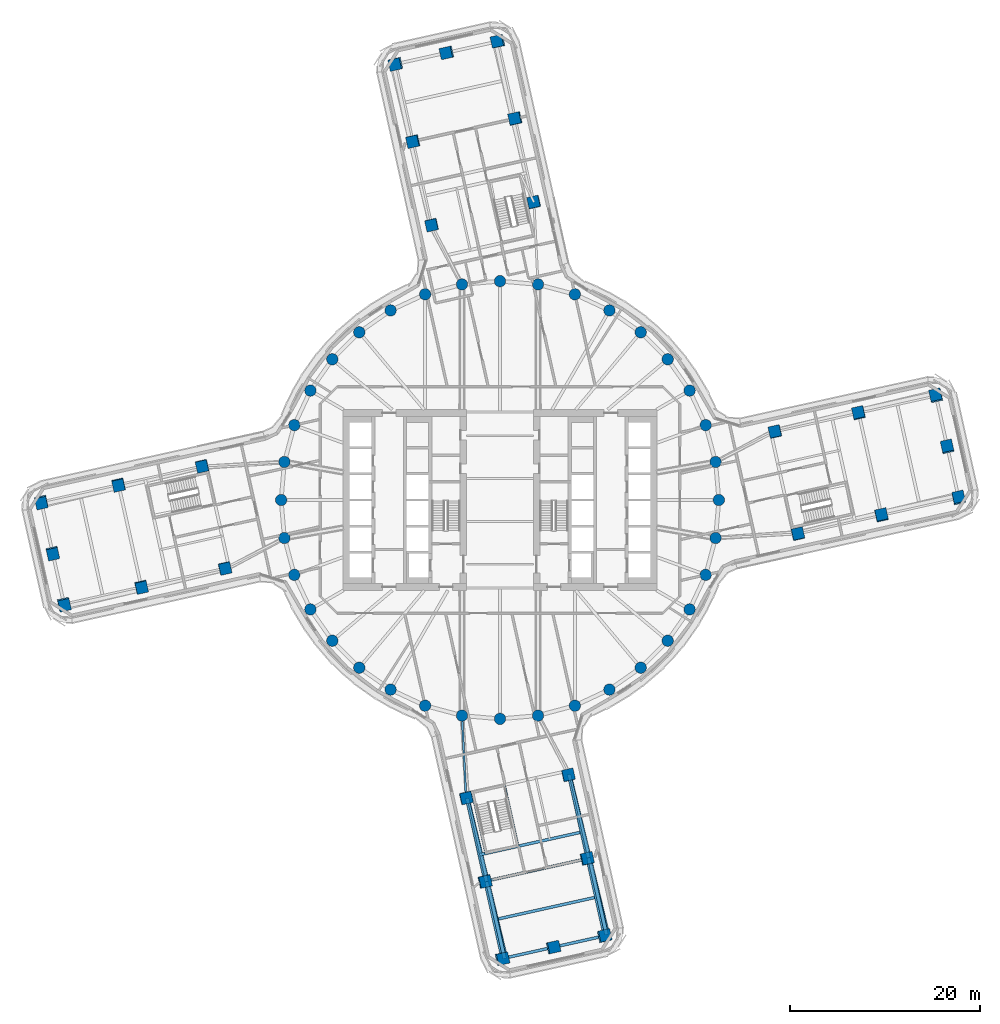
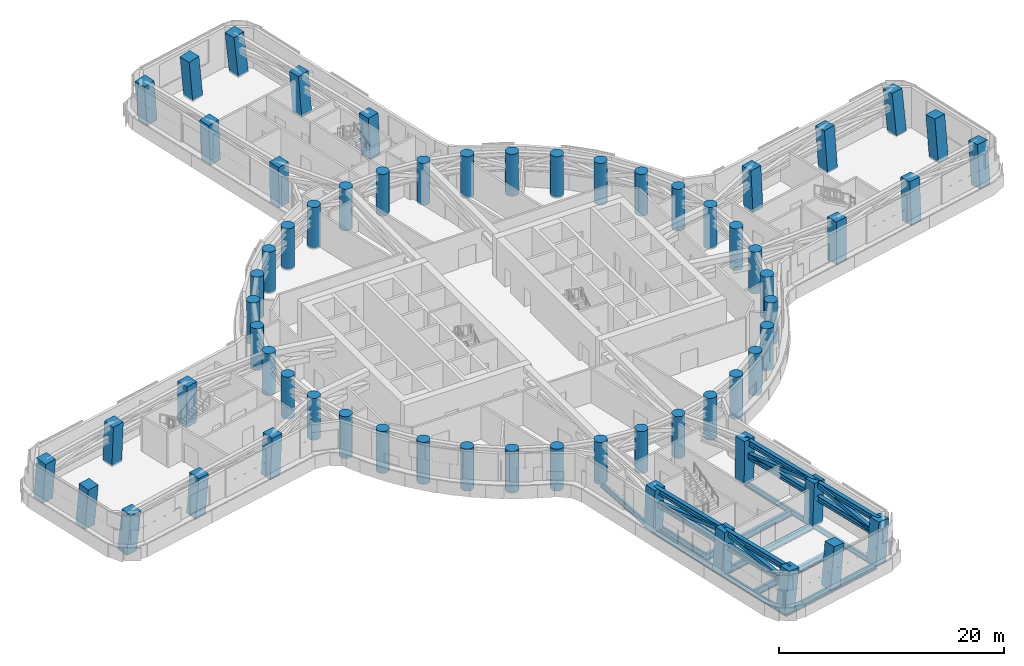
# One storey, part 1 of 22: 64 columns, 12 beams, 12 members.
"""IFC4 building model written with IfcOpenShell, lengths in metres."""

from ifc_helpers import new_model, si_unit, direction, frame, origin, origin_2d, place, context, subcontext, project, spatial, rectangle, hollow_rectangle, circle, i_section, extrude, material, material_profile, profile_set, type_object, element, save


model = new_model("IFC4")

# Units and contexts
model_context = context("Model", 3, precision=1e-05, world=origin(), true_north=direction((0.0, 1.0)))
body_context = subcontext(model_context, "Body", "Model", "MODEL_VIEW")
ifc_project = project(units=[si_unit("LENGTHUNIT", "METRE"), si_unit("AREAUNIT", "SQUARE_METRE"), si_unit("VOLUMEUNIT", "CUBIC_METRE"), si_unit("PLANEANGLEUNIT", "RADIAN"), si_unit("MASSUNIT", "GRAM", prefix="KILO")], contexts=[model_context])

# Site, building, storey
site_placement = place(None, origin())
site = spatial("IfcSite", under=ifc_project, at=site_placement, CompositionType="ELEMENT")
building_placement = place(site_placement, origin())
building = spatial("IfcBuilding", under=site, at=building_placement, Name="Tamarind Cross Interchange Tower", CompositionType="ELEMENT")
storey_placement = place(building_placement, frame((0.0, 0.0, 79.0)))
storey = spatial("IfcBuildingStorey", under=building, at=storey_placement, Name="L18", CompositionType="ELEMENT", Elevation=79.0)

# Columns
ifc_material_1 = material(Name="Concrete C70", Category="concrete")
ifc_material_profile_1 = material_profile(ifc_material_1, rectangle(XDim=1.199951171875, YDim=1.199951171875, at=origin_2d()), Name="RC 1200x1200")
ifc_profile_set_1 = profile_set([ifc_material_profile_1], Name="Concrete C70")
column_type_1 = type_object("IfcColumnType", Name="Column RC 1200x1200 Concrete C70", PredefinedType="COLUMN", material=ifc_profile_set_1)
for number, where, z_axis, x_axis, name in (
    (1, (37.693359375, 9.124755859375, -0.173095703125), (-0.037120340526, 0.06251280535, 0.997353613061), (0.215890896147, -0.973970607022, 0.069082397308), "Column L18-036"),
    (2, (40.08154296875, -1.61279296875, -0.172607421875), (0.00575634671, 0.072465411382, 0.997354314487), (-0.975960630964, -0.216894519976, 0.021391914662), "Column L18-037"),
):
    element("IfcColumn", number, at=place(storey_placement, frame(where, z_axis=z_axis, x_axis=x_axis)), inside=storey, type_object=column_type_1, Name=name, PredefinedType="COLUMN", context=body_context, shape_type="SweptSolid", body=[
        extrude(rectangle(XDim=1.199951171875, YDim=1.199951171875, at=origin_2d()), origin(), (0.0, 0.0, 1.0), 4.5380859375),
    ])
column_1_placement = place(storey_placement, frame((28.907958984375, 7.170654296875, -0.17529296875), z_axis=(-0.029020888191, 0.027459467491, 0.999201564097), x_axis=(0.21648201457, -0.975725272019, 0.033101826414)))
element("IfcColumn", 3, at=column_1_placement, inside=storey, type_object=column_type_1, Name="Column L18-038", PredefinedType="COLUMN", context=body_context, shape_type="SweptSolid", body=[
    extrude(rectangle(XDim=1.199951171875, YDim=1.199951171875, at=origin_2d()), origin(), (0.0, 0.0, 1.0), 4.534423828125),
])
column_2_placement = place(storey_placement, frame((31.296142578125, -3.56689453125, -0.17529296875), z_axis=(0.013944362332, 0.037418269579, 0.999202395844), x_axis=(-0.975880776515, -0.21721764254, 0.021753293964)))
element("IfcColumn", 4, at=column_2_placement, inside=storey, type_object=column_type_1, Name="Column L18-039", PredefinedType="COLUMN", context=body_context, shape_type="SweptSolid", body=[
    extrude(rectangle(XDim=1.199951171875, YDim=1.199951171875, at=origin_2d()), origin(), (0.0, 0.0, 1.0), 4.53466796875),
])
column_3_placement = place(storey_placement, frame((48.201171875, 0.193359375, -0.170654296875), z_axis=(-0.002953049653, 0.104376882277, 0.994533431285), x_axis=(-0.976156376226, -0.216164657489, 0.01978812792)))
element("IfcColumn", 5, at=column_3_placement, inside=storey, type_object=column_type_1, Name="Column L18-040", PredefinedType="COLUMN", context=body_context, shape_type="SweptSolid", body=[
    extrude(rectangle(XDim=1.199951171875, YDim=1.199951171875, at=origin_2d()), origin(), (0.0, 0.0, 1.0), 4.547119140625),
])
column_4_placement = place(storey_placement, frame((47.007080078125, 5.56201171875, -0.172119140625), z_axis=(-0.024370803708, 0.099415701469, 0.994747496719), x_axis=(0.21604862715, -0.971004814369, 0.102335923206)))
element("IfcColumn", 6, at=column_4_placement, inside=storey, type_object=column_type_1, Name="Column L18-041", PredefinedType="COLUMN", context=body_context, shape_type="SweptSolid", body=[
    extrude(rectangle(XDim=1.199951171875, YDim=1.199951171875, at=origin_2d()), origin(), (0.0, 0.0, 1.0), 4.548095703125),
])
column_5_placement = place(storey_placement, frame((45.81298828125, 10.930908203125, -0.170654296875), z_axis=(-0.045747815066, 0.094448834157, 0.994478031504), x_axis=(0.214689958309, -0.971328178646, 0.102126349048)))
element("IfcColumn", 7, at=column_5_placement, inside=storey, type_object=column_type_1, Name="Column L18-042", PredefinedType="COLUMN", context=body_context, shape_type="SweptSolid", body=[
    extrude(rectangle(XDim=1.199951171875, YDim=1.199951171875, at=origin_2d()), origin(), (0.0, 0.0, 1.0), 4.546875),
])
for number, where, z_axis, x_axis, name in (
    (8, (-9.124755859375, 37.693359375, -0.173095703125), (-0.06251280535, -0.037120340526, 0.997353613061), (0.973970607022, 0.215890896147, 0.069082397308), "Column L18-043"),
    (9, (1.61279296875, 40.08154296875, -0.172607421875), (-0.072465411382, 0.00575634671, 0.997354314487), (0.216894519976, -0.975960630964, 0.021391914662), "Column L18-044"),
):
    element("IfcColumn", number, at=place(storey_placement, frame(where, z_axis=z_axis, x_axis=x_axis)), inside=storey, type_object=column_type_1, Name=name, PredefinedType="COLUMN", context=body_context, shape_type="SweptSolid", body=[
        extrude(rectangle(XDim=1.199951171875, YDim=1.199951171875, at=origin_2d()), origin(), (0.0, 0.0, 1.0), 4.5380859375),
    ])
column_6_placement = place(storey_placement, frame((-7.170654296875, 28.907958984375, -0.17529296875), z_axis=(-0.027459467491, -0.029020888191, 0.999201564097), x_axis=(0.975725272019, 0.21648201457, 0.033101826414)))
element("IfcColumn", 10, at=column_6_placement, inside=storey, type_object=column_type_1, Name="Column L18-045", PredefinedType="COLUMN", context=body_context, shape_type="SweptSolid", body=[
    extrude(rectangle(XDim=1.199951171875, YDim=1.199951171875, at=origin_2d()), origin(), (0.0, 0.0, 1.0), 4.534423828125),
])
column_7_placement = place(storey_placement, frame((3.56689453125, 31.296142578125, -0.17529296875), z_axis=(-0.037418269579, 0.013944362332, 0.999202395844), x_axis=(0.21721764254, -0.975880776515, 0.021753293964)))
element("IfcColumn", 11, at=column_7_placement, inside=storey, type_object=column_type_1, Name="Column L18-046", PredefinedType="COLUMN", context=body_context, shape_type="SweptSolid", body=[
    extrude(rectangle(XDim=1.199951171875, YDim=1.199951171875, at=origin_2d()), origin(), (0.0, 0.0, 1.0), 4.53466796875),
])
column_8_placement = place(storey_placement, frame((-0.193359375, 48.201171875, -0.170654296875), z_axis=(-0.104376882277, -0.002953049653, 0.994533431285), x_axis=(0.216164657489, -0.976156376226, 0.01978812792)))
element("IfcColumn", 12, at=column_8_placement, inside=storey, type_object=column_type_1, Name="Column L18-047", PredefinedType="COLUMN", context=body_context, shape_type="SweptSolid", body=[
    extrude(rectangle(XDim=1.199951171875, YDim=1.199951171875, at=origin_2d()), origin(), (0.0, 0.0, 1.0), 4.547119140625),
])
column_9_placement = place(storey_placement, frame((-5.56201171875, 47.007080078125, -0.172119140625), z_axis=(-0.099415701469, -0.024370803708, 0.994747496719), x_axis=(0.971004814369, 0.21604862715, 0.102335923206)))
element("IfcColumn", 13, at=column_9_placement, inside=storey, type_object=column_type_1, Name="Column L18-048", PredefinedType="COLUMN", context=body_context, shape_type="SweptSolid", body=[
    extrude(rectangle(XDim=1.199951171875, YDim=1.199951171875, at=origin_2d()), origin(), (0.0, 0.0, 1.0), 4.548095703125),
])
column_10_placement = place(storey_placement, frame((-10.930908203125, 45.81298828125, -0.170654296875), z_axis=(-0.094448834157, -0.045747815066, 0.994478031504), x_axis=(0.971328178646, 0.214689958309, 0.102126349048)))
element("IfcColumn", 14, at=column_10_placement, inside=storey, type_object=column_type_1, Name="Column L18-049", PredefinedType="COLUMN", context=body_context, shape_type="SweptSolid", body=[
    extrude(rectangle(XDim=1.199951171875, YDim=1.199951171875, at=origin_2d()), origin(), (0.0, 0.0, 1.0), 4.546875),
])
for number, where, z_axis, x_axis, name in (
    (15, (-37.693359375, -9.124755859375, -0.173095703125), (0.037120340526, -0.06251280535, 0.997353613061), (-0.215890896147, 0.973970607022, 0.069082397308), "Column L18-050"),
    (16, (-40.08154296875, 1.61279296875, -0.172607421875), (-0.00575634671, -0.072465411382, 0.997354314487), (0.975960630964, 0.216894519976, 0.021391914662), "Column L18-051"),
):
    element("IfcColumn", number, at=place(storey_placement, frame(where, z_axis=z_axis, x_axis=x_axis)), inside=storey, type_object=column_type_1, Name=name, PredefinedType="COLUMN", context=body_context, shape_type="SweptSolid", body=[
        extrude(rectangle(XDim=1.199951171875, YDim=1.199951171875, at=origin_2d()), origin(), (0.0, 0.0, 1.0), 4.5380859375),
    ])
column_11_placement = place(storey_placement, frame((-28.907958984375, -7.170654296875, -0.17529296875), z_axis=(0.029020888191, -0.027459467491, 0.999201564097), x_axis=(-0.21648201457, 0.975725272019, 0.033101826414)))
element("IfcColumn", 17, at=column_11_placement, inside=storey, type_object=column_type_1, Name="Column L18-052", PredefinedType="COLUMN", context=body_context, shape_type="SweptSolid", body=[
    extrude(rectangle(XDim=1.199951171875, YDim=1.199951171875, at=origin_2d()), origin(), (0.0, 0.0, 1.0), 4.534423828125),
])
column_12_placement = place(storey_placement, frame((-31.296142578125, 3.56689453125, -0.17529296875), z_axis=(-0.013944362332, -0.037418269579, 0.999202395844), x_axis=(0.975880776515, 0.21721764254, 0.021753293964)))
element("IfcColumn", 18, at=column_12_placement, inside=storey, type_object=column_type_1, Name="Column L18-053", PredefinedType="COLUMN", context=body_context, shape_type="SweptSolid", body=[
    extrude(rectangle(XDim=1.199951171875, YDim=1.199951171875, at=origin_2d()), origin(), (0.0, 0.0, 1.0), 4.53466796875),
])
column_13_placement = place(storey_placement, frame((-48.201171875, -0.193359375, -0.170654296875), z_axis=(0.002953049653, -0.104376882277, 0.994533431285), x_axis=(0.976156376226, 0.216164657489, 0.01978812792)))
element("IfcColumn", 19, at=column_13_placement, inside=storey, type_object=column_type_1, Name="Column L18-054", PredefinedType="COLUMN", context=body_context, shape_type="SweptSolid", body=[
    extrude(rectangle(XDim=1.199951171875, YDim=1.199951171875, at=origin_2d()), origin(), (0.0, 0.0, 1.0), 4.547119140625),
])
column_14_placement = place(storey_placement, frame((-47.007080078125, -5.56201171875, -0.172119140625), z_axis=(0.024370803708, -0.099415701469, 0.994747496719), x_axis=(-0.21604862715, 0.971004814369, 0.102335923206)))
element("IfcColumn", 20, at=column_14_placement, inside=storey, type_object=column_type_1, Name="Column L18-055", PredefinedType="COLUMN", context=body_context, shape_type="SweptSolid", body=[
    extrude(rectangle(XDim=1.199951171875, YDim=1.199951171875, at=origin_2d()), origin(), (0.0, 0.0, 1.0), 4.548095703125),
])
column_15_placement = place(storey_placement, frame((-45.81298828125, -10.930908203125, -0.170654296875), z_axis=(0.045747815066, -0.094448834157, 0.994478031504), x_axis=(-0.214689958309, 0.971328178646, 0.102126349048)))
element("IfcColumn", 21, at=column_15_placement, inside=storey, type_object=column_type_1, Name="Column L18-056", PredefinedType="COLUMN", context=body_context, shape_type="SweptSolid", body=[
    extrude(rectangle(XDim=1.199951171875, YDim=1.199951171875, at=origin_2d()), origin(), (0.0, 0.0, 1.0), 4.546875),
])
for number, where, z_axis, x_axis, name in (
    (22, (9.124755859375, -37.693359375, -0.173095703125), (0.06251280535, 0.037120340526, 0.997353613061), (-0.973970607022, -0.215890896147, 0.069082397308), "Column L18-057"),
    (23, (-1.61279296875, -40.08154296875, -0.172607421875), (0.072465411382, -0.00575634671, 0.997354314487), (-0.216894519976, 0.975960630964, 0.021391914662), "Column L18-058"),
):
    element("IfcColumn", number, at=place(storey_placement, frame(where, z_axis=z_axis, x_axis=x_axis)), inside=storey, type_object=column_type_1, Name=name, PredefinedType="COLUMN", context=body_context, shape_type="SweptSolid", body=[
        extrude(rectangle(XDim=1.199951171875, YDim=1.199951171875, at=origin_2d()), origin(), (0.0, 0.0, 1.0), 4.5380859375),
    ])
column_16_placement = place(storey_placement, frame((7.170654296875, -28.907958984375, -0.17529296875), z_axis=(0.027459467491, 0.029020888191, 0.999201564097), x_axis=(-0.975725272019, -0.21648201457, 0.033101826414)))
element("IfcColumn", 24, at=column_16_placement, inside=storey, type_object=column_type_1, Name="Column L18-059", PredefinedType="COLUMN", context=body_context, shape_type="SweptSolid", body=[
    extrude(rectangle(XDim=1.199951171875, YDim=1.199951171875, at=origin_2d()), origin(), (0.0, 0.0, 1.0), 4.534423828125),
])
column_17_placement = place(storey_placement, frame((-3.56689453125, -31.296142578125, -0.17529296875), z_axis=(0.037418269579, -0.013944362332, 0.999202395844), x_axis=(-0.21721764254, 0.975880776515, 0.021753293964)))
element("IfcColumn", 25, at=column_17_placement, inside=storey, type_object=column_type_1, Name="Column L18-060", PredefinedType="COLUMN", context=body_context, shape_type="SweptSolid", body=[
    extrude(rectangle(XDim=1.199951171875, YDim=1.199951171875, at=origin_2d()), origin(), (0.0, 0.0, 1.0), 4.53466796875),
])
column_18_placement = place(storey_placement, frame((0.193359375, -48.201171875, -0.170654296875), z_axis=(0.104376882277, 0.002953049653, 0.994533431285), x_axis=(-0.216164657489, 0.976156376226, 0.01978812792)))
element("IfcColumn", 26, at=column_18_placement, inside=storey, type_object=column_type_1, Name="Column L18-061", PredefinedType="COLUMN", context=body_context, shape_type="SweptSolid", body=[
    extrude(rectangle(XDim=1.199951171875, YDim=1.199951171875, at=origin_2d()), origin(), (0.0, 0.0, 1.0), 4.547119140625),
])
column_19_placement = place(storey_placement, frame((5.56201171875, -47.007080078125, -0.172119140625), z_axis=(0.099415701469, 0.024370803708, 0.994747496719), x_axis=(-0.971004814369, -0.21604862715, 0.102335923206)))
element("IfcColumn", 27, at=column_19_placement, inside=storey, type_object=column_type_1, Name="Column L18-062", PredefinedType="COLUMN", context=body_context, shape_type="SweptSolid", body=[
    extrude(rectangle(XDim=1.199951171875, YDim=1.199951171875, at=origin_2d()), origin(), (0.0, 0.0, 1.0), 4.548095703125),
])
column_20_placement = place(storey_placement, frame((10.930908203125, -45.81298828125, -0.170654296875), z_axis=(0.094448834157, 0.045747815066, 0.994478031504), x_axis=(-0.971328178646, -0.214689958309, 0.102126349048)))
element("IfcColumn", 28, at=column_20_placement, inside=storey, type_object=column_type_1, Name="Column L18-063", PredefinedType="COLUMN", context=body_context, shape_type="SweptSolid", body=[
    extrude(rectangle(XDim=1.199951171875, YDim=1.199951171875, at=origin_2d()), origin(), (0.0, 0.0, 1.0), 4.546875),
])
ifc_material_profile_2 = material_profile(ifc_material_1, circle(Radius=0.60009765625, at=origin_2d()), Name="RC D1200")
ifc_profile_set_2 = profile_set([ifc_material_profile_2], Name="Concrete C70")
column_type_2 = type_object("IfcColumnType", Name="Column RC D1200 Concrete C70", PredefinedType="COLUMN", material=ifc_profile_set_2)
for number, where, z_axis, x_axis, name in (
    (29, (23.0, 0.0, -0.179931640625), (0.0, 0.0, 1.0), (1.0, 0.0, 0.0), "Column L18-000"),
    (30, (22.650634765625, 3.993896484375, -0.179931640625), (0.0, 0.0, 1.0), (1.0, 0.0, 0.0), "Column L18-001"),
    (31, (21.613037109375, 7.866455078125, -0.179931640625), (0.0, 0.0, 1.0), (1.0, 0.0, 0.0), "Column L18-002"),
    (32, (19.918701171875, 11.5, -0.179931640625), (0.0, 0.0, 1.0), (1.0, 0.0, 0.0), "Column L18-003"),
    (33, (17.619140625, 14.7841796875, -0.179931640625), (0.0, 0.0, 1.0), (1.0, 0.0, 0.0), "Column L18-004"),
    (34, (14.7841796875, 17.619140625, -0.179931640625), (0.0, 0.0, 1.0), (1.0, 0.0, 0.0), "Column L18-005"),
    (35, (11.5, 19.918701171875, -0.179931640625), (0.0, 0.0, 1.0), (1.0, 0.0, 0.0), "Column L18-006"),
    (36, (7.866455078125, 21.613037109375, -0.179931640625), (0.0, 0.0, 1.0), (1.0, 0.0, 0.0), "Column L18-007"),
    (37, (3.993896484375, 22.650634765625, -0.179931640625), (0.0, 0.0, 1.0), (1.0, 0.0, 0.0), "Column L18-008"),
    (38, (0.0, 23.0, -0.179931640625), (0.0, 0.0, 1.0), (1.0, 0.0, 0.0), "Column L18-009"),
    (39, (-3.993896484375, 22.650634765625, -0.179931640625), (0.0, 0.0, 1.0), (1.0, 0.0, 0.0), "Column L18-010"),
    (40, (-7.866455078125, 21.613037109375, -0.179931640625), (0.0, 0.0, 1.0), (1.0, 0.0, 0.0), "Column L18-011"),
    (41, (-11.5, 19.918701171875, -0.179931640625), (0.0, 0.0, 1.0), (1.0, 0.0, 0.0), "Column L18-012"),
    (42, (-14.7841796875, 17.619140625, -0.179931640625), (0.0, 0.0, 1.0), (1.0, 0.0, 0.0), "Column L18-013"),
    (43, (-17.619140625, 14.7841796875, -0.179931640625), (0.0, 0.0, 1.0), (1.0, 0.0, 0.0), "Column L18-014"),
    (44, (-19.918701171875, 11.5, -0.179931640625), (0.0, 0.0, 1.0), (1.0, 0.0, 0.0), "Column L18-015"),
    (45, (-21.613037109375, 7.866455078125, -0.179931640625), (0.0, 0.0, 1.0), (1.0, 0.0, 0.0), "Column L18-016"),
    (46, (-22.650634765625, 3.993896484375, -0.179931640625), (0.0, 0.0, 1.0), (1.0, 0.0, 0.0), "Column L18-017"),
    (47, (-23.0, 0.0, -0.179931640625), (0.0, 0.0, 1.0), (1.0, 0.0, 0.0), "Column L18-018"),
    (48, (-22.650634765625, -3.993896484375, -0.179931640625), (0.0, 0.0, 1.0), (1.0, 0.0, 0.0), "Column L18-019"),
    (49, (-21.613037109375, -7.866455078125, -0.179931640625), (0.0, 0.0, 1.0), (1.0, 0.0, 0.0), "Column L18-020"),
    (50, (-19.918701171875, -11.5, -0.179931640625), (0.0, 0.0, 1.0), (1.0, 0.0, 0.0), "Column L18-021"),
    (51, (-17.619140625, -14.7841796875, -0.179931640625), (0.0, 0.0, 1.0), (1.0, 0.0, 0.0), "Column L18-022"),
    (52, (-14.7841796875, -17.619140625, -0.179931640625), (0.0, 0.0, 1.0), (1.0, 0.0, 0.0), "Column L18-023"),
    (53, (-11.5, -19.918701171875, -0.179931640625), (0.0, 0.0, 1.0), (1.0, 0.0, 0.0), "Column L18-024"),
    (54, (-7.866455078125, -21.613037109375, -0.179931640625), (0.0, 0.0, 1.0), (1.0, 0.0, 0.0), "Column L18-025"),
    (55, (-3.993896484375, -22.650634765625, -0.179931640625), (0.0, 0.0, 1.0), (1.0, 0.0, 0.0), "Column L18-026"),
    (56, (0.0, -23.0, -0.179931640625), (0.0, 0.0, 1.0), (1.0, 0.0, 0.0), "Column L18-027"),
    (57, (3.993896484375, -22.650634765625, -0.179931640625), (0.0, 0.0, 1.0), (1.0, 0.0, 0.0), "Column L18-028"),
    (58, (7.866455078125, -21.613037109375, -0.179931640625), (0.0, 0.0, 1.0), (1.0, 0.0, 0.0), "Column L18-029"),
    (59, (11.5, -19.918701171875, -0.179931640625), (0.0, 0.0, 1.0), (1.0, 0.0, 0.0), "Column L18-030"),
    (60, (14.7841796875, -17.619140625, -0.179931640625), (0.0, 0.0, 1.0), (1.0, 0.0, 0.0), "Column L18-031"),
    (61, (17.619140625, -14.7841796875, -0.179931640625), (0.0, 0.0, 1.0), (1.0, 0.0, 0.0), "Column L18-032"),
    (62, (19.918701171875, -11.5, -0.179931640625), (0.0, 0.0, 1.0), (1.0, 0.0, 0.0), "Column L18-033"),
    (63, (21.613037109375, -7.866455078125, -0.179931640625), (0.0, 0.0, 1.0), (1.0, 0.0, 0.0), "Column L18-034"),
    (64, (22.650634765625, -3.993896484375, -0.179931640625), (0.0, 0.0, 1.0), (1.0, 0.0, 0.0), "Column L18-035"),
):
    element("IfcColumn", number, at=place(storey_placement, frame(where, z_axis=z_axis, x_axis=x_axis)), inside=storey, type_object=column_type_2, Name=name, PredefinedType="COLUMN", context=body_context, shape_type="SweptSolid", body=[
        extrude(circle(Radius=0.60009765625, at=origin_2d()), origin(), (0.0, 0.0, 1.0), 4.5400390625),
    ])

# Beams
ifc_material_2 = material(Name="Steel Q355B", Category="steel")
ifc_material_profile_3 = material_profile(ifc_material_2, i_section(OverallWidth=0.199951171875, OverallDepth=0.60009765625, WebThickness=0.010986328125, FlangeThickness=0.01708984375, FilletRadius=0.012939453125, at=origin_2d()), Name="HN 600x200x11x17")
ifc_profile_set_3 = profile_set([ifc_material_profile_3], Name="Steel Q355B")
beam_type_1 = type_object("IfcBeamType", Name="Composite beam HN 600x200x11x17 Q355B", PredefinedType="BEAM", material=ifc_profile_set_3)
beam_1_placement = place(storey_placement, frame((0.1923828125, -48.201171875, -0.47998046875), z_axis=(-0.217073407789, 0.97615528254, 0.0), x_axis=(-0.97615528254, -0.217073407789, 0.0)))
element("IfcBeam", 65, at=beam_1_placement, inside=storey, type_object=beam_type_1, Name="Beam S-edgeem5", PredefinedType="BEAM", context=body_context, shape_type="SweptSolid", body=[
    extrude(i_section(OverallWidth=0.199951171875, OverallDepth=0.60009765625, WebThickness=0.010986328125, FlangeThickness=0.01708984375, FilletRadius=0.012939453125, at=origin_2d()), origin(), (0.0, 0.0, 1.0), 8.318115234375),
])
beam_2_placement = place(storey_placement, frame((-1.61328125, -40.081298828125, -0.47998046875), z_axis=(-0.217094171771, 0.976150664899, 0.0), x_axis=(-0.976150664899, -0.217094171771, 0.0)))
element("IfcBeam", 66, at=beam_2_placement, inside=storey, type_object=beam_type_1, Name="Beam S-edgeem6", PredefinedType="BEAM", context=body_context, shape_type="SweptSolid", body=[
    extrude(i_section(OverallWidth=0.199951171875, OverallDepth=0.60009765625, WebThickness=0.010986328125, FlangeThickness=0.01708984375, FilletRadius=0.012939453125, at=origin_2d()), origin(), (0.0, 0.0, 1.0), 9.0),
])
beam_3_placement = place(storey_placement, frame((10.929931640625, -45.813232421875, -0.47998046875), z_axis=(-0.217079627174, 0.976153899478, 0.0), x_axis=(-0.976153899478, -0.217079627174, 0.0)))
element("IfcBeam", 67, at=beam_3_placement, inside=storey, type_object=beam_type_1, Name="Beam S-edgeep2", PredefinedType="BEAM", context=body_context, shape_type="SweptSolid", body=[
    extrude(i_section(OverallWidth=0.199951171875, OverallDepth=0.60009765625, WebThickness=0.010986328125, FlangeThickness=0.01708984375, FilletRadius=0.012939453125, at=origin_2d()), origin(), (0.0, 0.0, 1.0), 8.31787109375),
])
beam_4_placement = place(storey_placement, frame((9.124267578125, -37.693603515625, -0.47998046875), z_axis=(-0.217068323417, 0.976156413168, 0.0), x_axis=(-0.976156413168, -0.217068323417, 0.0)))
element("IfcBeam", 68, at=beam_4_placement, inside=storey, type_object=beam_type_1, Name="Beam S-edgeep3", PredefinedType="BEAM", context=body_context, shape_type="SweptSolid", body=[
    extrude(i_section(OverallWidth=0.199951171875, OverallDepth=0.60009765625, WebThickness=0.010986328125, FlangeThickness=0.01708984375, FilletRadius=0.012939453125, at=origin_2d()), origin(), (0.0, 0.0, 1.0), 9.0),
])
beam_5_placement = place(storey_placement, frame((-3.567138671875, -31.2958984375, -0.47998046875), z_axis=(-0.049303159662, 0.998783859725, 0.0), x_axis=(-0.998783859725, -0.049303159662, 0.0)))
element("IfcBeam", 69, at=beam_5_placement, inside=storey, type_object=beam_type_1, Name="Beam S-linkem", PredefinedType="BEAM", context=body_context, shape_type="SweptSolid", body=[
    extrude(i_section(OverallWidth=0.199951171875, OverallDepth=0.60009765625, WebThickness=0.010986328125, FlangeThickness=0.01708984375, FilletRadius=0.012939453125, at=origin_2d()), origin(), (0.0, 0.0, 1.0), 8.65576171875),
])
for number, where, z_axis, x_axis, name in (
    (70, (-2.9326171875, -30.69384765625, -0.47998046875), (0.217063623667, -0.976157458241, 0.0), (0.976157458241, 0.217063623667, 0.0), "Beam S-tr0"),
    (71, (0.48388671875, -29.93408203125, -0.47998046875), (0.217063623667, -0.976157458241, 0.0), (0.976157458241, 0.217063623667, 0.0), "Beam S-tr1"),
):
    element("IfcBeam", number, at=place(storey_placement, frame(where, z_axis=z_axis, x_axis=x_axis)), inside=storey, type_object=beam_type_1, Name=name, PredefinedType="BEAM", context=body_context, shape_type="SweptSolid", body=[
        extrude(i_section(OverallWidth=0.199951171875, OverallDepth=0.60009765625, WebThickness=0.010986328125, FlangeThickness=0.01708984375, FilletRadius=0.012939453125, at=origin_2d()), origin(), (0.0, 0.0, 1.0), 6.60009765625),
    ])
ifc_material_profile_4 = material_profile(ifc_material_2, i_section(OverallWidth=0.300048828125, OverallDepth=0.699951171875, WebThickness=0.012939453125, FlangeThickness=0.02392578125, FilletRadius=0.01806640625, at=origin_2d()), Name="HN 700x300x13x24")
ifc_profile_set_4 = profile_set([ifc_material_profile_4], Name="Steel Q355B")
beam_type_2 = type_object("IfcBeamType", Name="Composite beam HN 700x300x13x24 Q355B", PredefinedType="BEAM", material=ifc_profile_set_4)
beam_6_placement = place(storey_placement, frame((0.1923828125, -48.201171875, -0.530029296875), z_axis=(0.976157806816, 0.217062056084, 0.0), x_axis=(-0.217062056084, 0.976157806816, 0.0)))
element("IfcBeam", 72, at=beam_6_placement, inside=storey, type_object=beam_type_2, Name="Beam S-tip0", PredefinedType="BEAM", context=body_context, shape_type="SweptSolid", body=[
    extrude(i_section(OverallWidth=0.300048828125, OverallDepth=0.699951171875, WebThickness=0.012939453125, FlangeThickness=0.02392578125, FilletRadius=0.01806640625, at=origin_2d()), origin(), (0.0, 0.0, 1.0), 5.5),
])
beam_7_placement = place(storey_placement, frame((5.561279296875, -47.00732421875, -0.530029296875), z_axis=(0.976146308195, 0.217113760499, 0.0), x_axis=(-0.217113760499, 0.976146308195, 0.0)))
element("IfcBeam", 73, at=beam_7_placement, inside=storey, type_object=beam_type_2, Name="Beam S-tip1", PredefinedType="BEAM", context=body_context, shape_type="SweptSolid", body=[
    extrude(i_section(OverallWidth=0.300048828125, OverallDepth=0.699951171875, WebThickness=0.012939453125, FlangeThickness=0.02392578125, FilletRadius=0.01806640625, at=origin_2d()), origin(), (0.0, 0.0, 1.0), 5.499755859375),
])
for number, where, z_axis, x_axis, name in (
    (74, (-2.23193359375, -37.29931640625, -0.530029296875), (0.976152057945, 0.217087907932, 0.0), (-0.217087907932, 0.976152057945, 0.0), "Beam S-x364"),
    (75, (-1.61328125, -40.081298828125, -0.530029296875), (0.976156761069, 0.217066758902, 0.0), (-0.217066758902, 0.976156761069, 0.0), "Beam S-x393"),
    (76, (-0.71044921875, -44.141357421875, -0.530029296875), (0.976152057945, 0.217087907932, 0.0), (-0.217087907932, 0.976152057945, 0.0), "Beam S-x435"),
):
    element("IfcBeam", number, at=place(storey_placement, frame(where, z_axis=z_axis, x_axis=x_axis)), inside=storey, type_object=beam_type_2, Name=name, PredefinedType="BEAM", context=body_context, shape_type="SweptSolid", body=[
        extrude(i_section(OverallWidth=0.300048828125, OverallDepth=0.699951171875, WebThickness=0.012939453125, FlangeThickness=0.02392578125, FilletRadius=0.01806640625, at=origin_2d()), origin(), (0.0, 0.0, 1.0), 10.999755859375),
    ])

# Members
ifc_material_3 = material(Name="Steel Q420B", Category="steel")
ifc_material_profile_5 = material_profile(ifc_material_3, i_section(OverallWidth=0.39990234375, OverallDepth=0.60009765625, WebThickness=0.02490234375, FlangeThickness=0.0400390625, at=origin_2d()), Name="BH 600x400x25x40")
ifc_profile_set_5 = profile_set([ifc_material_profile_5], Name="Steel Q420B")
member_type_1 = type_object("IfcMemberType", Name="Truss chord BH 600x400x25x40 Q420B", PredefinedType="CHORD", material=ifc_profile_set_5)
member_1_placement = place(storey_placement, frame((11.33251953125, -45.618408203125, 4.06005859375), z_axis=(-0.233659523058, 0.972318480378, 0.0), x_axis=(-0.972318480378, -0.233659523058, 0.0)))
element("IfcMember", 77, at=member_1_placement, inside=storey, type_object=member_type_1, Name="Belt truss arm Sep top", PredefinedType="CHORD", context=body_context, shape_type="SweptSolid", body=[
    extrude(i_section(OverallWidth=0.39990234375, OverallDepth=0.60009765625, WebThickness=0.02490234375, FlangeThickness=0.0400390625, at=origin_2d()), origin(), (0.0, 0.0, 1.0), 8.31298828125),
])
member_2_placement = place(storey_placement, frame((11.19873046875, -45.68310546875, 2.64990234375), z_axis=(-0.228158703485, 0.973623955141, 0.0), x_axis=(-0.973623955141, -0.228158703485, 0.0)))
element("IfcMember", 78, at=member_2_placement, inside=storey, type_object=member_type_1, Name="Belt truss arm Sep bottom", PredefinedType="CHORD", context=body_context, shape_type="SweptSolid", body=[
    extrude(i_section(OverallWidth=0.39990234375, OverallDepth=0.60009765625, WebThickness=0.02490234375, FlangeThickness=0.0400390625, at=origin_2d()), origin(), (0.0, 0.0, 1.0), 8.314208984375),
])
member_3_placement = place(storey_placement, frame((9.39013671875, -37.53564453125, 4.06005859375), z_axis=(-0.233672529247, 0.972315354746, 0.0), x_axis=(-0.972315354746, -0.233672529247, 0.0)))
element("IfcMember", 79, at=member_3_placement, inside=storey, type_object=member_type_1, Name="Belt truss arm Sep top", PredefinedType="CHORD", context=body_context, shape_type="SweptSolid", body=[
    extrude(i_section(OverallWidth=0.39990234375, OverallDepth=0.60009765625, WebThickness=0.02490234375, FlangeThickness=0.0400390625, at=origin_2d()), origin(), (0.0, 0.0, 1.0), 9.0),
])
member_4_placement = place(storey_placement, frame((9.3017578125, -37.588134765625, 2.64990234375), z_axis=(-0.228172839859, 0.973620642319, 0.0), x_axis=(-0.973620642319, -0.228172839859, 0.0)))
element("IfcMember", 80, at=member_4_placement, inside=storey, type_object=member_type_1, Name="Belt truss arm Sep bottom", PredefinedType="CHORD", context=body_context, shape_type="SweptSolid", body=[
    extrude(i_section(OverallWidth=0.39990234375, OverallDepth=0.60009765625, WebThickness=0.02490234375, FlangeThickness=0.0400390625, at=origin_2d()), origin(), (0.0, 0.0, 1.0), 8.99951171875),
])
member_5_placement = place(storey_placement, frame((0.63720703125, -48.188720703125, 4.06005859375), z_axis=(-0.233659523058, 0.972318480378, 0.0), x_axis=(-0.972318480378, -0.233659523058, 0.0)))
element("IfcMember", 81, at=member_5_placement, inside=storey, type_object=member_type_1, Name="Belt truss arm Sem top", PredefinedType="CHORD", context=body_context, shape_type="SweptSolid", body=[
    extrude(i_section(OverallWidth=0.39990234375, OverallDepth=0.60009765625, WebThickness=0.02490234375, FlangeThickness=0.0400390625, at=origin_2d()), origin(), (0.0, 0.0, 1.0), 8.31298828125),
])
member_6_placement = place(storey_placement, frame((0.4892578125, -48.19287109375, 2.64990234375), z_axis=(-0.228158703485, 0.973623955141, 0.0), x_axis=(-0.973623955141, -0.228158703485, 0.0)))
element("IfcMember", 82, at=member_6_placement, inside=storey, type_object=member_type_1, Name="Belt truss arm Sem bottom", PredefinedType="CHORD", context=body_context, shape_type="SweptSolid", body=[
    extrude(i_section(OverallWidth=0.39990234375, OverallDepth=0.60009765625, WebThickness=0.02490234375, FlangeThickness=0.0400390625, at=origin_2d()), origin(), (0.0, 0.0, 1.0), 8.314208984375),
])
member_7_placement = place(storey_placement, frame((-1.30517578125, -40.10595703125, 4.06005859375), z_axis=(-0.233672529247, 0.972315354746, 0.0), x_axis=(-0.972315354746, -0.233672529247, 0.0)))
element("IfcMember", 83, at=member_7_placement, inside=storey, type_object=member_type_1, Name="Belt truss arm Sem top", PredefinedType="CHORD", context=body_context, shape_type="SweptSolid", body=[
    extrude(i_section(OverallWidth=0.39990234375, OverallDepth=0.60009765625, WebThickness=0.02490234375, FlangeThickness=0.0400390625, at=origin_2d()), origin(), (0.0, 0.0, 1.0), 9.0),
])
member_8_placement = place(storey_placement, frame((-1.40771484375, -40.097900390625, 2.64990234375), z_axis=(-0.228147124068, 0.973626668585, 0.0), x_axis=(-0.973626668585, -0.228147124068, 0.0)))
element("IfcMember", 84, at=member_8_placement, inside=storey, type_object=member_type_1, Name="Belt truss arm Sem bottom", PredefinedType="CHORD", context=body_context, shape_type="SweptSolid", body=[
    extrude(i_section(OverallWidth=0.39990234375, OverallDepth=0.60009765625, WebThickness=0.02490234375, FlangeThickness=0.0400390625, at=origin_2d()), origin(), (0.0, 0.0, 1.0), 8.99951171875),
])
ifc_material_profile_6 = material_profile(ifc_material_3, hollow_rectangle(XDim=0.39990234375, YDim=0.39990234375, WallThickness=0.02490234375, at=origin_2d()), Name="BOX 400x400x25")
ifc_profile_set_6 = profile_set([ifc_material_profile_6], Name="Steel Q420B")
member_type_2 = type_object("IfcMemberType", Name="Truss diagonal BOX 400x400x25 Q420B", PredefinedType="BRACE", material=ifc_profile_set_6)
member_9_placement = place(storey_placement, frame((11.19873046875, -45.68310546875, 2.64990234375), z_axis=(-0.213678684372, 0.962592475008, 0.166604762545), x_axis=(-0.976236593012, -0.216707439801, 0.0)))
element("IfcMember", 85, at=member_9_placement, inside=storey, type_object=member_type_2, Name="Belt truss arm Sep diagonal", PredefinedType="BRACE", context=body_context, shape_type="SweptSolid", body=[
    extrude(hollow_rectangle(XDim=0.39990234375, YDim=0.39990234375, WallThickness=0.02490234375, at=origin_2d()), origin(), (0.0, 0.0, 1.0), 8.464111328125),
])
member_10_placement = place(storey_placement, frame((9.39013671875, -37.53564453125, 4.06005859375), z_axis=(-0.235902099551, 0.959285010999, -0.15531409176), x_axis=(-0.971068795834, -0.238799903177, 0.0)))
element("IfcMember", 86, at=member_10_placement, inside=storey, type_object=member_type_2, Name="Belt truss arm Sep diagonal", PredefinedType="BRACE", context=body_context, shape_type="SweptSolid", body=[
    extrude(hollow_rectangle(XDim=0.39990234375, YDim=0.39990234375, WallThickness=0.02490234375, at=origin_2d()), origin(), (0.0, 0.0, 1.0), 9.079345703125),
])
member_11_placement = place(storey_placement, frame((0.4892578125, -48.19287109375, 2.64990234375), z_axis=(-0.213552371364, 0.962409353614, 0.167820203673), x_axis=(-0.976254972946, -0.216624624174, 0.0)))
element("IfcMember", 87, at=member_11_placement, inside=storey, type_object=member_type_2, Name="Belt truss arm Sem diagonal", PredefinedType="BRACE", context=body_context, shape_type="SweptSolid", body=[
    extrude(hollow_rectangle(XDim=0.39990234375, YDim=0.39990234375, WallThickness=0.02490234375, at=origin_2d()), origin(), (0.0, 0.0, 1.0), 8.40283203125),
])
member_12_placement = place(storey_placement, frame((-1.30517578125, -40.10595703125, 4.06005859375), z_axis=(-0.235840702233, 0.95946835179, -0.154271335911), x_axis=(-0.971093782279, -0.238698274017, 0.0)))
element("IfcMember", 88, at=member_12_placement, inside=storey, type_object=member_type_2, Name="Belt truss arm Sem diagonal", PredefinedType="BRACE", context=body_context, shape_type="SweptSolid", body=[
    extrude(hollow_rectangle(XDim=0.39990234375, YDim=0.39990234375, WallThickness=0.02490234375, at=origin_2d()), origin(), (0.0, 0.0, 1.0), 9.140869140625),
])

save(model, "model.ifc")
